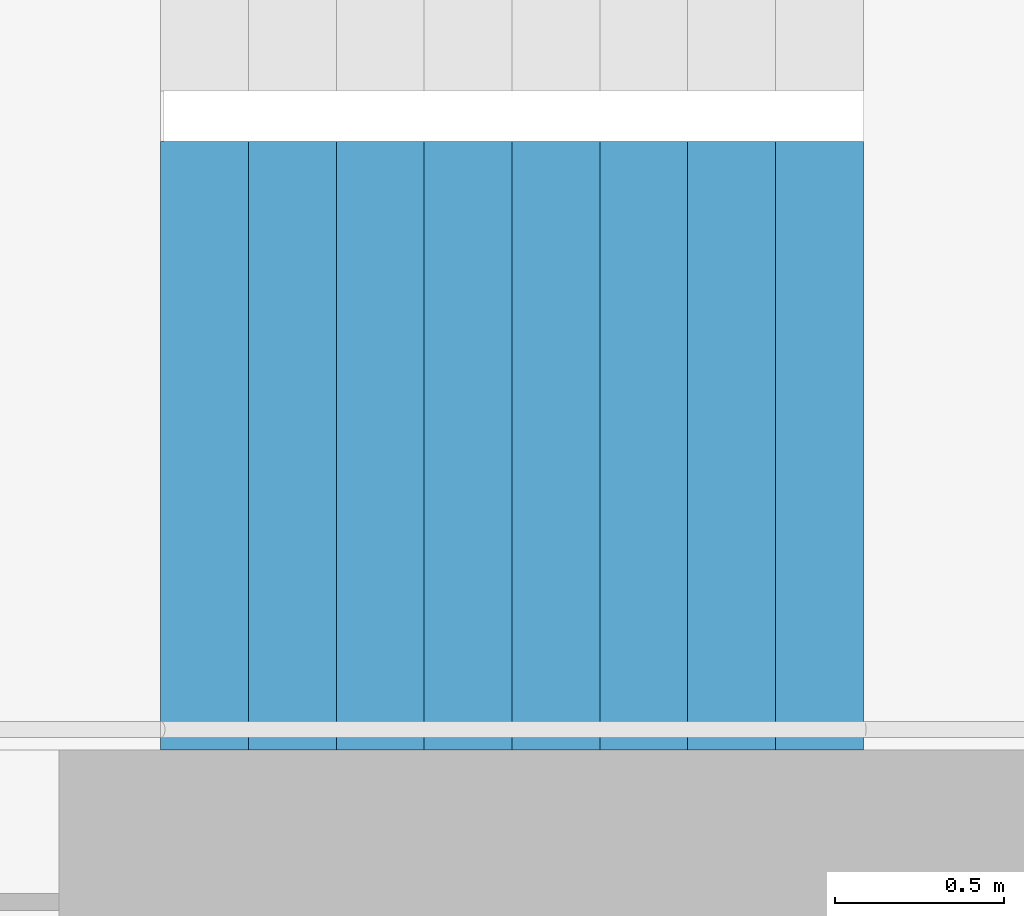
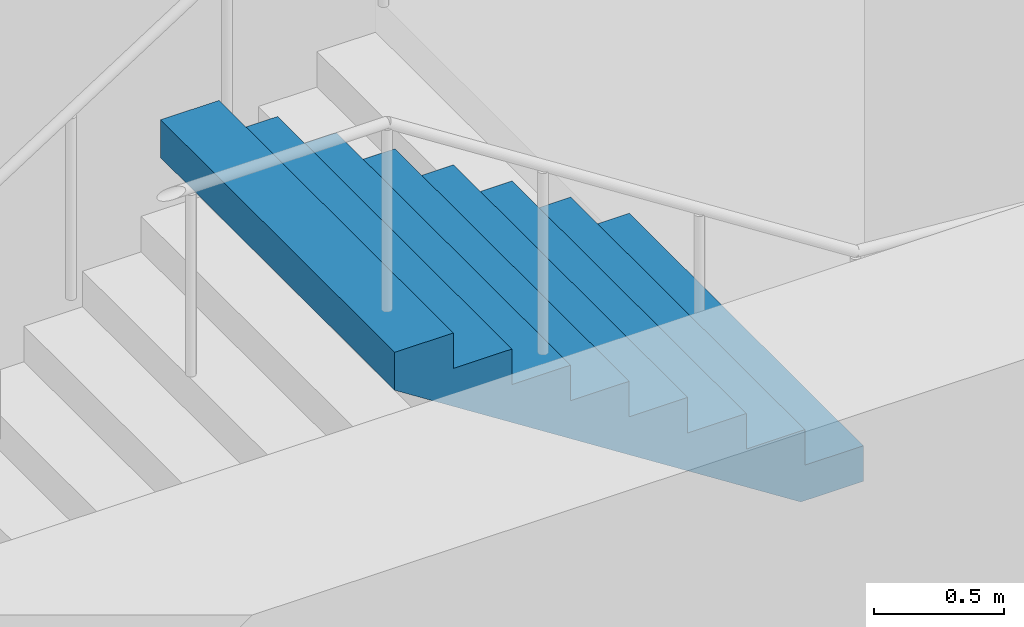
# One storey, part 27 of 35: 1 stair flight, 1 element without a shape of its own.
"""IFC4 building model written with IfcOpenShell, lengths in metres."""

import ifcopenshell
import ifcopenshell.guid

model = None  # the IFC model being written
_history = None  # IfcOwnerHistory: only IFC2X3 demands one
_inside = {}  # id of a spatial element -> (the spatial element, [elements in it])
_under = {}  # id of a project, library or spatial element -> (it, [spatial elements below it])
_declared = {}  # id of a project -> (the project, [libraries it declares])
_typed = {}  # id of a type object -> (the type object, [elements of that type])
_made_of = {}  # id of a material, layer set ... -> (it, [elements and type objects made of it])


def new_model(schema):
    """Start an empty IFC model of exactly this schema.

    Asked for "IFC4X3", IfcOpenShell would pick the latest addendum, in which some entities
    have other attributes; the version numbers below select the first issue.
    IFC2X3 requires an IfcOwnerHistory on every rooted entity: one is made here for all.
    """
    global model, _history
    if schema == "IFC4X3":
        model = ifcopenshell.file(schema_version=(4, 3, 0, 0))
    else:
        model = ifcopenshell.file(schema=schema)
    _inside.clear()
    _under.clear()
    _declared.clear()
    _typed.clear()
    _made_of.clear()
    _history = None
    if model.schema == "IFC2X3":
        org = make("IfcOrganization", Name="unknown")
        user = make(
            "IfcPersonAndOrganization",
            ThePerson=make("IfcPerson", FamilyName="unknown"),
            TheOrganization=org,
        )
        app = make(
            "IfcApplication",
            ApplicationDeveloper=org,
            Version="unknown",
            ApplicationFullName="unknown",
            ApplicationIdentifier="unknown",
        )
        _history = make(
            "IfcOwnerHistory",
            OwningUser=user,
            OwningApplication=app,
            ChangeAction="ADDED",
            CreationDate=0,
        )
    return model


def make(cls, **values):
    """One entity of the class cls with the attributes given. An attribute that is None is left unset."""
    return model.create_entity(
        cls, **{name: value for name, value in values.items() if value is not None}
    )


def rooted(cls, **values):
    """An entity with a GlobalId (a new one), such as an element, a storey or a relation."""
    return make(cls, GlobalId=ifcopenshell.guid.new(), OwnerHistory=_history, **values)


def si_unit(unit_type, name, prefix=None):
    """IfcSIUnit, for example si_unit("LENGTHUNIT", "METRE", prefix="MILLI")."""
    return make("IfcSIUnit", UnitType=unit_type, Prefix=prefix, Name=name)


def assignment(units):
    """IfcUnitAssignment: the units of a project."""
    return None if units is None else make("IfcUnitAssignment", Units=units)


def point(xyz):
    """IfcCartesianPoint."""
    return None if xyz is None else make("IfcCartesianPoint", Coordinates=xyz)


def direction(xyz):
    """IfcDirection."""
    return None if xyz is None else make("IfcDirection", DirectionRatios=xyz)


def frame(location, z_axis=None, x_axis=None):
    """IfcAxis2Placement3D, a coordinate frame: its origin and axes. An axis left out is left unset."""
    return make(
        "IfcAxis2Placement3D",
        Location=point(location),
        Axis=direction(z_axis),
        RefDirection=direction(x_axis),
    )


def origin():
    """The frame at (0, 0, 0) with its axes left unset."""
    return frame((0.0, 0.0, 0.0))


def place(relative_to, where):
    """IfcLocalPlacement: puts the frame where relative to a parent placement (None: the world)."""
    return make(
        "IfcLocalPlacement", PlacementRelTo=relative_to, RelativePlacement=where
    )


def context(
    kind, dimensions, precision=None, world=None, true_north=None, identifier=None
):
    """IfcGeometricRepresentationContext, for example the 3D "Model" context."""
    return make(
        "IfcGeometricRepresentationContext",
        ContextIdentifier=identifier,
        ContextType=kind,
        CoordinateSpaceDimension=dimensions,
        Precision=precision,
        WorldCoordinateSystem=world,
        TrueNorth=true_north,
    )


def subcontext(parent, identifier, kind, view, scale=None):
    """IfcGeometricRepresentationSubContext, for example "Body" below "Model"."""
    return make(
        "IfcGeometricRepresentationSubContext",
        ContextIdentifier=identifier,
        ContextType=kind,
        ParentContext=parent,
        TargetScale=scale,
        TargetView=view,
    )


def project(units=None, contexts=None):
    """IfcProject with its units and contexts."""
    return rooted(
        "IfcProject",
        Name="project",
        RepresentationContexts=contexts,
        UnitsInContext=assignment(units),
    )


def spatial(cls, under=None, at=None, **own):
    """A site, building, storey or space (cls), placed at a placement, below another one or the project."""
    s = rooted(cls, ObjectPlacement=at, **own)
    if under is not None:
        _under.setdefault(under.id(), (under, []))[1].append(s)
    return s


def point_list(points):
    """IfcCartesianPointList2D or 3D."""
    cls = (
        "IfcCartesianPointList2D" if len(points[0]) == 2 else "IfcCartesianPointList3D"
    )
    return make(cls, CoordList=points)


def triangles(points, corners, closed=None, point_numbers=None):
    """IfcTriangulatedFaceSet: each triangle names its three corners, points numbered from 1."""
    return make(
        "IfcTriangulatedFaceSet",
        Coordinates=point_list(points),
        Closed=closed,
        CoordIndex=corners,
        PnIndex=point_numbers,
    )


def shape(context_of_items, identifier, shape_type, items):
    """IfcShapeRepresentation: the items that make up one representation, for example the "Body"."""
    return make(
        "IfcShapeRepresentation",
        ContextOfItems=context_of_items,
        RepresentationIdentifier=identifier,
        RepresentationType=shape_type,
        Items=items,
    )


def material(Name=None, Category=None):
    """IfcMaterial."""
    return make("IfcMaterial", Name=Name, Category=Category)


def made_of(thing, what):
    """Note that an element or type object is made of a material, layer set ...; save() writes the relation."""
    if what is not None:
        _made_of.setdefault(what.id(), (what, []))[1].append(thing)
    return thing


def type_object(cls, material=None, **own):
    """A type object (cls), such as IfcWallType, which elements share."""
    return made_of(rooted(cls, **own), material)


def element(
    cls,
    number,
    at=None,
    inside=None,
    cuts=None,
    type_object=None,
    material=None,
    context=None,
    identifier="Body",
    shape_type=None,
    held_by="IfcProductDefinitionShape",
    body=None,
    shapes=None,
    **own,
):
    """One element of the class cls, such as IfcWall. Its Tag is "e" and its number.

    at: its placement. inside: the storey or other place that contains it. cuts: it is an
    opening in that element (IfcRelVoidsElement). A single representation is given by context,
    identifier, shape_type and body (its items); several are given by shapes. held_by: the class
    of the entity that holds the representations. save() writes the other relations.
    """
    e = rooted(cls, Tag="e%d" % number, ObjectPlacement=at, **own)
    if body is not None:
        shapes = [shape(context, identifier, shape_type, body)]
    if shapes is not None:
        e.Representation = make(held_by, Representations=shapes)
    if inside is not None:
        _inside.setdefault(inside.id(), (inside, []))[1].append(e)
    if cuts is not None:
        rooted(
            "IfcRelVoidsElement", RelatingBuildingElement=cuts, RelatedOpeningElement=e
        )
    if type_object is not None:
        _typed.setdefault(type_object.id(), (type_object, []))[1].append(e)
    return made_of(e, material)


def aggregate(whole, parts):
    """IfcRelAggregates: a whole, such as a stair, and the parts it consists of."""
    return rooted("IfcRelAggregates", RelatingObject=whole, RelatedObjects=parts)


def save(model, path):
    """Write the relations noted so far, then the file.

    IfcRelAggregates (storeys below a building ...), IfcRelContainedInSpatialStructure (elements
    in a storey), IfcRelDefinesByType, IfcRelAssociatesMaterial and IfcRelDeclares: one each for
    every whole, place, type object, material and project.
    """
    for whole, parts in _under.values():
        aggregate(whole, parts)
    for where, things in _inside.values():
        rooted(
            "IfcRelContainedInSpatialStructure",
            RelatedElements=things,
            RelatingStructure=where,
        )
    for kind, things in _typed.values():
        rooted("IfcRelDefinesByType", RelatedObjects=things, RelatingType=kind)
    for what, things in _made_of.values():
        rooted("IfcRelAssociatesMaterial", RelatedObjects=things, RelatingMaterial=what)
    for by, libraries in _declared.values():
        rooted("IfcRelDeclares", RelatingContext=by, RelatedDefinitions=libraries)
    model.write(path)


model = new_model("IFC4")

# Units and contexts
model_context = context("Model", 3, precision=1e-05, world=origin(), true_north=direction((0.0, 1.0)))
body_context = subcontext(model_context, "Body", "Model", "MODEL_VIEW")
ifc_project = project(units=[si_unit("LENGTHUNIT", "METRE"), si_unit("AREAUNIT", "SQUARE_METRE"), si_unit("VOLUMEUNIT", "CUBIC_METRE"), si_unit("PLANEANGLEUNIT", "RADIAN"), si_unit("MASSUNIT", "GRAM", prefix="KILO")], contexts=[model_context])

# Site, building, storey
site_placement = place(None, origin())
site = spatial("IfcSite", under=ifc_project, at=site_placement, CompositionType="ELEMENT")
building_placement = place(site_placement, origin())
building = spatial("IfcBuilding", under=site, at=building_placement, Name="Hakoniwa Tower and Hamabe Station Hall", CompositionType="ELEMENT")
storey_placement = place(building_placement, frame((0.0, 0.0, 270.60009765625)))
storey = spatial("IfcBuildingStorey", under=building, at=storey_placement, Name="L76", CompositionType="ELEMENT", Elevation=270.60009765625)

# Stair, stair flight
ifc_material_1 = material(Name="Concrete C40", Category="concrete")
stair_type = type_object("IfcStairType", Name="ESCAPE STAIR 1800", PredefinedType="HALF_TURN_STAIR", material=ifc_material_1)
stair_placement = place(storey_placement, origin())
stair = element("IfcStair", 1, at=stair_placement, inside=storey, type_object=stair_type, Name="Escape stair ST-4 L76", PredefinedType="HALF_TURN_STAIR")
ifc_material_2 = material(Name="Concrete C40", Category="concrete")
stair_flight_type = type_object("IfcStairFlightType", Name="STAIR FLIGHT 1800", PredefinedType="STRAIGHT", material=ifc_material_2)
stair_flight_placement = place(storey_placement, frame((25.47998046875, -6.60009765625, 4.5), z_axis=(0.0, 0.0, 1.0), x_axis=(-1.0, 0.0, 0.0)))
stair_flight = element("IfcStairFlight", 2, at=stair_flight_placement, type_object=stair_flight_type, Name="ST-4 flight 4", NumberOfRisers=9, NumberOfTreads=8, PredefinedType="STRAIGHT", RiserHeight=0.166666667, TreadLength=0.26, context=body_context, shape_type="Tessellation", body=[
    triangles([(0.0, 0.89990234375, 0.0), (0.260009765625, 0.89990234375, 0.0), (0.27783203125, 0.89990234375, 0.0), (0.52001953125, 0.89990234375, 0.1552734375), (0.780029296875, 0.89990234375, 0.322021484375), (1.0400390625, 0.89990234375, 0.488525390625), (1.300048828125, 0.89990234375, 0.6552734375), (1.56005859375, 0.89990234375, 0.822021484375), (1.820068359375, 0.89990234375, 0.988525390625), (2.080078125, 0.89990234375, 1.1552734375), (2.080078125, 0.89990234375, 1.333251953125), (1.820068359375, 0.89990234375, 1.333251953125), (1.820068359375, 0.89990234375, 1.166748046875), (1.56005859375, 0.89990234375, 1.166748046875), (1.56005859375, 0.89990234375, 1.0), (1.300048828125, 0.89990234375, 1.0), (1.300048828125, 0.89990234375, 0.833251953125), (1.0400390625, 0.89990234375, 0.833251953125), (1.0400390625, 0.89990234375, 0.666748046875), (0.780029296875, 0.89990234375, 0.666748046875), (0.780029296875, 0.89990234375, 0.5), (0.52001953125, 0.89990234375, 0.5), (0.52001953125, 0.89990234375, 0.333251953125), (0.27783203125, 0.89990234375, 0.333251953125), (0.260009765625, 0.89990234375, 0.333251953125), (0.260009765625, 0.89990234375, 0.166748046875), (0.0, 0.89990234375, 0.166748046875), (0.0, 0.06005859375, 0.0), (0.260009765625, 0.06005859375, 0.0), (0.27783203125, 0.06005859375, 0.0), (0.52001953125, 0.06005859375, 0.1552734375), (0.780029296875, 0.06005859375, 0.322021484375), (1.0400390625, 0.06005859375, 0.488525390625), (1.300048828125, 0.06005859375, 0.6552734375), (1.56005859375, 0.06005859375, 0.822021484375), (1.820068359375, 0.06005859375, 0.988525390625), (2.080078125, 0.06005859375, 1.1552734375), (2.080078125, 0.06005859375, 1.333251953125), (1.820068359375, 0.06005859375, 1.333251953125), (1.820068359375, 0.06005859375, 1.166748046875), (1.56005859375, 0.06005859375, 1.166748046875), (1.56005859375, 0.06005859375, 1.0), (1.300048828125, 0.06005859375, 1.0), (1.300048828125, 0.06005859375, 0.833251953125), (1.0400390625, 0.06005859375, 0.833251953125), (1.0400390625, 0.06005859375, 0.666748046875), (0.780029296875, 0.06005859375, 0.666748046875), (0.780029296875, 0.06005859375, 0.5), (0.52001953125, 0.06005859375, 0.5), (0.52001953125, 0.06005859375, 0.333251953125), (0.27783203125, 0.06005859375, 0.333251953125), (0.260009765625, 0.06005859375, 0.333251953125), (0.260009765625, 0.06005859375, 0.166748046875), (0.0, 0.06005859375, 0.166748046875), (0.0, 0.04296875, 0.0), (0.260009765625, 0.04296875, 0.0), (0.27783203125, 0.04296875, 0.0), (0.52001953125, 0.04296875, 0.1552734375), (0.780029296875, 0.04296875, 0.322021484375), (1.0400390625, 0.04296875, 0.488525390625), (1.300048828125, 0.04296875, 0.6552734375), (1.56005859375, 0.04296875, 0.822021484375), (1.820068359375, 0.04296875, 0.988525390625), (2.080078125, 0.04296875, 1.1552734375), (2.080078125, 0.04296875, 1.333251953125), (1.820068359375, 0.04296875, 1.333251953125), (1.820068359375, 0.04296875, 1.166748046875), (1.56005859375, 0.04296875, 1.166748046875), (1.56005859375, 0.04296875, 1.0), (1.300048828125, 0.04296875, 1.0), (1.300048828125, 0.04296875, 0.833251953125), (1.0400390625, 0.04296875, 0.833251953125), (1.0400390625, 0.04296875, 0.666748046875), (0.780029296875, 0.04296875, 0.666748046875), (0.780029296875, 0.04296875, 0.5), (0.52001953125, 0.04296875, 0.5), (0.52001953125, 0.04296875, 0.333251953125), (0.27783203125, 0.04296875, 0.333251953125), (0.260009765625, 0.04296875, 0.333251953125), (0.260009765625, 0.04296875, 0.166748046875), (0.0, 0.04296875, 0.166748046875), (0.0, 0.025634765625, 0.0), (0.260009765625, 0.025634765625, 0.0), (0.27783203125, 0.025634765625, 0.0), (0.52001953125, 0.025634765625, 0.1552734375), (0.780029296875, 0.025634765625, 0.322021484375), (1.0400390625, 0.025634765625, 0.488525390625), (1.300048828125, 0.025634765625, 0.6552734375), (1.56005859375, 0.025634765625, 0.822021484375), (1.820068359375, 0.025634765625, 0.988525390625), (2.080078125, 0.025634765625, 1.1552734375), (2.080078125, 0.025634765625, 1.333251953125), (1.820068359375, 0.025634765625, 1.333251953125), (1.820068359375, 0.025634765625, 1.166748046875), (1.56005859375, 0.025634765625, 1.166748046875), (1.56005859375, 0.025634765625, 1.0), (1.300048828125, 0.025634765625, 1.0), (1.300048828125, 0.025634765625, 0.833251953125), (1.0400390625, 0.025634765625, 0.833251953125), (1.0400390625, 0.025634765625, 0.666748046875), (0.780029296875, 0.025634765625, 0.666748046875), (0.780029296875, 0.025634765625, 0.5), (0.52001953125, 0.025634765625, 0.5), (0.52001953125, 0.025634765625, 0.333251953125), (0.27783203125, 0.025634765625, 0.333251953125), (0.260009765625, 0.025634765625, 0.333251953125), (0.260009765625, 0.025634765625, 0.166748046875), (0.0, 0.025634765625, 0.166748046875), (0.0, 0.008544921875, 0.0), (0.260009765625, 0.008544921875, 0.0), (0.27783203125, 0.008544921875, 0.0), (0.52001953125, 0.008544921875, 0.1552734375), (0.780029296875, 0.008544921875, 0.322021484375), (1.0400390625, 0.008544921875, 0.488525390625), (1.300048828125, 0.008544921875, 0.6552734375), (1.56005859375, 0.008544921875, 0.822021484375), (1.820068359375, 0.008544921875, 0.988525390625), (2.080078125, 0.008544921875, 1.1552734375), (2.080078125, 0.008544921875, 1.333251953125), (1.820068359375, 0.008544921875, 1.333251953125), (1.820068359375, 0.008544921875, 1.166748046875), (1.56005859375, 0.008544921875, 1.166748046875), (1.56005859375, 0.008544921875, 1.0), (1.300048828125, 0.008544921875, 1.0), (1.300048828125, 0.008544921875, 0.833251953125), (1.0400390625, 0.008544921875, 0.833251953125), (1.0400390625, 0.008544921875, 0.666748046875), (0.780029296875, 0.008544921875, 0.666748046875), (0.780029296875, 0.008544921875, 0.5), (0.52001953125, 0.008544921875, 0.5), (0.52001953125, 0.008544921875, 0.333251953125), (0.27783203125, 0.008544921875, 0.333251953125), (0.260009765625, 0.008544921875, 0.333251953125), (0.260009765625, 0.008544921875, 0.166748046875), (0.0, 0.008544921875, 0.166748046875), (0.0, -0.008544921875, 0.0), (0.260009765625, -0.008544921875, 0.0), (0.27783203125, -0.008544921875, 0.0), (0.52001953125, -0.008544921875, 0.1552734375), (0.780029296875, -0.008544921875, 0.322021484375), (1.0400390625, -0.008544921875, 0.488525390625), (1.300048828125, -0.008544921875, 0.6552734375), (1.56005859375, -0.008544921875, 0.822021484375), (1.820068359375, -0.008544921875, 0.988525390625), (2.080078125, -0.008544921875, 1.1552734375), (2.080078125, -0.008544921875, 1.333251953125), (1.820068359375, -0.008544921875, 1.333251953125), (1.820068359375, -0.008544921875, 1.166748046875), (1.56005859375, -0.008544921875, 1.166748046875), (1.56005859375, -0.008544921875, 1.0), (1.300048828125, -0.008544921875, 1.0), (1.300048828125, -0.008544921875, 0.833251953125), (1.0400390625, -0.008544921875, 0.833251953125), (1.0400390625, -0.008544921875, 0.666748046875), (0.780029296875, -0.008544921875, 0.666748046875), (0.780029296875, -0.008544921875, 0.5), (0.52001953125, -0.008544921875, 0.5), (0.52001953125, -0.008544921875, 0.333251953125), (0.27783203125, -0.008544921875, 0.333251953125), (0.260009765625, -0.008544921875, 0.333251953125), (0.260009765625, -0.008544921875, 0.166748046875), (0.0, -0.008544921875, 0.166748046875), (0.0, -0.025634765625, 0.0), (0.260009765625, -0.025634765625, 0.0), (0.27783203125, -0.025634765625, 0.0), (0.52001953125, -0.025634765625, 0.1552734375), (0.780029296875, -0.025634765625, 0.322021484375), (1.0400390625, -0.025634765625, 0.488525390625), (1.300048828125, -0.025634765625, 0.6552734375), (1.56005859375, -0.025634765625, 0.822021484375), (1.820068359375, -0.025634765625, 0.988525390625), (2.080078125, -0.025634765625, 1.1552734375), (2.080078125, -0.025634765625, 1.333251953125), (1.820068359375, -0.025634765625, 1.333251953125), (1.820068359375, -0.025634765625, 1.166748046875), (1.56005859375, -0.025634765625, 1.166748046875), (1.56005859375, -0.025634765625, 1.0), (1.300048828125, -0.025634765625, 1.0), (1.300048828125, -0.025634765625, 0.833251953125), (1.0400390625, -0.025634765625, 0.833251953125), (1.0400390625, -0.025634765625, 0.666748046875), (0.780029296875, -0.025634765625, 0.666748046875), (0.780029296875, -0.025634765625, 0.5), (0.52001953125, -0.025634765625, 0.5), (0.52001953125, -0.025634765625, 0.333251953125), (0.27783203125, -0.025634765625, 0.333251953125), (0.260009765625, -0.025634765625, 0.333251953125), (0.260009765625, -0.025634765625, 0.166748046875), (0.0, -0.025634765625, 0.166748046875), (0.0, -0.04296875, 0.0), (0.260009765625, -0.04296875, 0.0), (0.27783203125, -0.04296875, 0.0), (0.52001953125, -0.04296875, 0.1552734375), (0.780029296875, -0.04296875, 0.322021484375), (1.0400390625, -0.04296875, 0.488525390625), (1.300048828125, -0.04296875, 0.6552734375), (1.56005859375, -0.04296875, 0.822021484375), (1.820068359375, -0.04296875, 0.988525390625), (2.080078125, -0.04296875, 1.1552734375), (2.080078125, -0.04296875, 1.333251953125), (1.820068359375, -0.04296875, 1.333251953125), (1.820068359375, -0.04296875, 1.166748046875), (1.56005859375, -0.04296875, 1.166748046875), (1.56005859375, -0.04296875, 1.0), (1.300048828125, -0.04296875, 1.0), (1.300048828125, -0.04296875, 0.833251953125), (1.0400390625, -0.04296875, 0.833251953125), (1.0400390625, -0.04296875, 0.666748046875), (0.780029296875, -0.04296875, 0.666748046875), (0.780029296875, -0.04296875, 0.5), (0.52001953125, -0.04296875, 0.5), (0.52001953125, -0.04296875, 0.333251953125), (0.27783203125, -0.04296875, 0.333251953125), (0.260009765625, -0.04296875, 0.333251953125), (0.260009765625, -0.04296875, 0.166748046875), (0.0, -0.04296875, 0.166748046875), (0.0, -0.06005859375, 0.0), (0.260009765625, -0.06005859375, 0.0), (0.27783203125, -0.06005859375, 0.0), (0.52001953125, -0.06005859375, 0.1552734375), (0.780029296875, -0.06005859375, 0.322021484375), (1.0400390625, -0.06005859375, 0.488525390625), (1.300048828125, -0.06005859375, 0.6552734375), (1.56005859375, -0.06005859375, 0.822021484375), (1.820068359375, -0.06005859375, 0.988525390625), (2.080078125, -0.06005859375, 1.1552734375), (2.080078125, -0.06005859375, 1.333251953125), (1.820068359375, -0.06005859375, 1.333251953125), (1.820068359375, -0.06005859375, 1.166748046875), (1.56005859375, -0.06005859375, 1.166748046875), (1.56005859375, -0.06005859375, 1.0), (1.300048828125, -0.06005859375, 1.0), (1.300048828125, -0.06005859375, 0.833251953125), (1.0400390625, -0.06005859375, 0.833251953125), (1.0400390625, -0.06005859375, 0.666748046875), (0.780029296875, -0.06005859375, 0.666748046875), (0.780029296875, -0.06005859375, 0.5), (0.52001953125, -0.06005859375, 0.5), (0.52001953125, -0.06005859375, 0.333251953125), (0.27783203125, -0.06005859375, 0.333251953125), (0.260009765625, -0.06005859375, 0.333251953125), (0.260009765625, -0.06005859375, 0.166748046875), (0.0, -0.06005859375, 0.166748046875), (0.0, -0.89990234375, 0.0), (0.260009765625, -0.89990234375, 0.0), (0.27783203125, -0.89990234375, 0.0), (0.52001953125, -0.89990234375, 0.1552734375), (0.780029296875, -0.89990234375, 0.322021484375), (1.0400390625, -0.89990234375, 0.488525390625), (1.300048828125, -0.89990234375, 0.6552734375), (1.56005859375, -0.89990234375, 0.822021484375), (1.820068359375, -0.89990234375, 0.988525390625), (2.080078125, -0.89990234375, 1.1552734375), (2.080078125, -0.89990234375, 1.333251953125), (1.820068359375, -0.89990234375, 1.333251953125), (1.820068359375, -0.89990234375, 1.166748046875), (1.56005859375, -0.89990234375, 1.166748046875), (1.56005859375, -0.89990234375, 1.0), (1.300048828125, -0.89990234375, 1.0), (1.300048828125, -0.89990234375, 0.833251953125), (1.0400390625, -0.89990234375, 0.833251953125), (1.0400390625, -0.89990234375, 0.666748046875), (0.780029296875, -0.89990234375, 0.666748046875), (0.780029296875, -0.89990234375, 0.5), (0.52001953125, -0.89990234375, 0.5), (0.52001953125, -0.89990234375, 0.333251953125), (0.27783203125, -0.89990234375, 0.333251953125), (0.260009765625, -0.89990234375, 0.333251953125), (0.260009765625, -0.89990234375, 0.166748046875), (0.0, -0.89990234375, 0.166748046875)], [[2, 27, 26], [245, 269, 270], [2, 1, 27], [245, 270, 244], [3, 25, 24], [246, 267, 268], [3, 26, 25], [246, 268, 269], [3, 2, 26], [246, 269, 245], [4, 24, 23], [247, 266, 267], [4, 3, 24], [247, 267, 246], [5, 22, 21], [248, 264, 265], [5, 23, 22], [248, 265, 266], [5, 4, 23], [248, 266, 247], [6, 20, 19], [249, 262, 263], [6, 21, 20], [249, 263, 264], [6, 5, 21], [249, 264, 248], [7, 18, 17], [250, 260, 261], [7, 19, 18], [250, 261, 262], [7, 6, 19], [250, 262, 249], [8, 16, 15], [251, 258, 259], [8, 17, 16], [251, 259, 260], [8, 7, 17], [251, 260, 250], [9, 14, 13], [252, 256, 257], [9, 15, 14], [252, 257, 258], [9, 8, 15], [252, 258, 251], [10, 12, 11], [253, 254, 255], [10, 13, 12], [253, 255, 256], [10, 9, 13], [253, 256, 252], [1, 2, 29], [1, 29, 28], [28, 29, 56], [28, 56, 55], [55, 56, 83], [55, 83, 82], [82, 83, 110], [82, 110, 109], [109, 110, 137], [109, 137, 136], [136, 137, 164], [136, 164, 163], [163, 164, 191], [163, 191, 190], [190, 191, 218], [190, 218, 217], [217, 218, 245], [217, 245, 244], [2, 3, 30], [2, 30, 29], [29, 30, 57], [29, 57, 56], [56, 57, 84], [56, 84, 83], [83, 84, 111], [83, 111, 110], [110, 111, 138], [110, 138, 137], [137, 138, 165], [137, 165, 164], [164, 165, 192], [164, 192, 191], [191, 192, 219], [191, 219, 218], [218, 219, 246], [218, 246, 245], [3, 4, 31], [3, 31, 30], [30, 31, 58], [30, 58, 57], [57, 58, 85], [57, 85, 84], [84, 85, 112], [84, 112, 111], [111, 112, 139], [111, 139, 138], [138, 139, 166], [138, 166, 165], [165, 166, 193], [165, 193, 192], [192, 193, 220], [192, 220, 219], [219, 220, 247], [219, 247, 246], [4, 5, 32], [4, 32, 31], [31, 32, 59], [31, 59, 58], [58, 59, 86], [58, 86, 85], [85, 86, 113], [85, 113, 112], [112, 113, 140], [112, 140, 139], [139, 140, 167], [139, 167, 166], [166, 167, 194], [166, 194, 193], [193, 194, 221], [193, 221, 220], [220, 221, 248], [220, 248, 247], [5, 6, 33], [5, 33, 32], [32, 33, 60], [32, 60, 59], [59, 60, 87], [59, 87, 86], [86, 87, 114], [86, 114, 113], [113, 114, 141], [113, 141, 140], [140, 141, 168], [140, 168, 167], [167, 168, 195], [167, 195, 194], [194, 195, 222], [194, 222, 221], [221, 222, 249], [221, 249, 248], [6, 7, 34], [6, 34, 33], [33, 34, 61], [33, 61, 60], [60, 61, 88], [60, 88, 87], [87, 88, 115], [87, 115, 114], [114, 115, 142], [114, 142, 141], [141, 142, 169], [141, 169, 168], [168, 169, 196], [168, 196, 195], [195, 196, 223], [195, 223, 222], [222, 223, 250], [222, 250, 249], [7, 8, 35], [7, 35, 34], [34, 35, 62], [34, 62, 61], [61, 62, 89], [61, 89, 88], [88, 89, 116], [88, 116, 115], [115, 116, 143], [115, 143, 142], [142, 143, 170], [142, 170, 169], [169, 170, 197], [169, 197, 196], [196, 197, 224], [196, 224, 223], [223, 224, 251], [223, 251, 250], [8, 9, 36], [8, 36, 35], [35, 36, 63], [35, 63, 62], [62, 63, 90], [62, 90, 89], [89, 90, 117], [89, 117, 116], [116, 117, 144], [116, 144, 143], [143, 144, 171], [143, 171, 170], [170, 171, 198], [170, 198, 197], [197, 198, 225], [197, 225, 224], [224, 225, 252], [224, 252, 251], [9, 10, 37], [9, 37, 36], [36, 37, 64], [36, 64, 63], [63, 64, 91], [63, 91, 90], [90, 91, 118], [90, 118, 117], [117, 118, 145], [117, 145, 144], [144, 145, 172], [144, 172, 171], [171, 172, 199], [171, 199, 198], [198, 199, 226], [198, 226, 225], [225, 226, 253], [225, 253, 252], [10, 11, 38], [10, 38, 37], [37, 38, 65], [37, 65, 64], [64, 65, 92], [64, 92, 91], [91, 92, 119], [91, 119, 118], [118, 119, 146], [118, 146, 145], [145, 146, 173], [145, 173, 172], [172, 173, 200], [172, 200, 199], [199, 200, 227], [199, 227, 226], [226, 227, 254], [226, 254, 253], [11, 12, 39], [11, 39, 38], [38, 39, 66], [38, 66, 65], [65, 66, 93], [65, 93, 92], [92, 93, 120], [92, 120, 119], [119, 120, 147], [119, 147, 146], [146, 147, 174], [146, 174, 173], [173, 174, 201], [173, 201, 200], [200, 201, 228], [200, 228, 227], [227, 228, 255], [227, 255, 254], [12, 13, 40], [12, 40, 39], [39, 40, 67], [39, 67, 66], [66, 67, 94], [66, 94, 93], [93, 94, 121], [93, 121, 120], [120, 121, 148], [120, 148, 147], [147, 148, 175], [147, 175, 174], [174, 175, 202], [174, 202, 201], [201, 202, 229], [201, 229, 228], [228, 229, 256], [228, 256, 255], [13, 14, 41], [13, 41, 40], [40, 41, 68], [40, 68, 67], [67, 68, 95], [67, 95, 94], [94, 95, 122], [94, 122, 121], [121, 122, 149], [121, 149, 148], [148, 149, 176], [148, 176, 175], [175, 176, 203], [175, 203, 202], [202, 203, 230], [202, 230, 229], [229, 230, 257], [229, 257, 256], [14, 15, 42], [14, 42, 41], [41, 42, 69], [41, 69, 68], [68, 69, 96], [68, 96, 95], [95, 96, 123], [95, 123, 122], [122, 123, 150], [122, 150, 149], [149, 150, 177], [149, 177, 176], [176, 177, 204], [176, 204, 203], [203, 204, 231], [203, 231, 230], [230, 231, 258], [230, 258, 257], [15, 16, 43], [15, 43, 42], [42, 43, 70], [42, 70, 69], [69, 70, 97], [69, 97, 96], [96, 97, 124], [96, 124, 123], [123, 124, 151], [123, 151, 150], [150, 151, 178], [150, 178, 177], [177, 178, 205], [177, 205, 204], [204, 205, 232], [204, 232, 231], [231, 232, 259], [231, 259, 258], [16, 17, 44], [16, 44, 43], [43, 44, 71], [43, 71, 70], [70, 71, 98], [70, 98, 97], [97, 98, 125], [97, 125, 124], [124, 125, 152], [124, 152, 151], [151, 152, 179], [151, 179, 178], [178, 179, 206], [178, 206, 205], [205, 206, 233], [205, 233, 232], [232, 233, 260], [232, 260, 259], [17, 18, 45], [17, 45, 44], [44, 45, 72], [44, 72, 71], [71, 72, 99], [71, 99, 98], [98, 99, 126], [98, 126, 125], [125, 126, 153], [125, 153, 152], [152, 153, 180], [152, 180, 179], [179, 180, 207], [179, 207, 206], [206, 207, 234], [206, 234, 233], [233, 234, 261], [233, 261, 260], [18, 19, 46], [18, 46, 45], [45, 46, 73], [45, 73, 72], [72, 73, 100], [72, 100, 99], [99, 100, 127], [99, 127, 126], [126, 127, 154], [126, 154, 153], [153, 154, 181], [153, 181, 180], [180, 181, 208], [180, 208, 207], [207, 208, 235], [207, 235, 234], [234, 235, 262], [234, 262, 261], [19, 20, 47], [19, 47, 46], [46, 47, 74], [46, 74, 73], [73, 74, 101], [73, 101, 100], [100, 101, 128], [100, 128, 127], [127, 128, 155], [127, 155, 154], [154, 155, 182], [154, 182, 181], [181, 182, 209], [181, 209, 208], [208, 209, 236], [208, 236, 235], [235, 236, 263], [235, 263, 262], [20, 21, 48], [20, 48, 47], [47, 48, 75], [47, 75, 74], [74, 75, 102], [74, 102, 101], [101, 102, 129], [101, 129, 128], [128, 129, 156], [128, 156, 155], [155, 156, 183], [155, 183, 182], [182, 183, 210], [182, 210, 209], [209, 210, 237], [209, 237, 236], [236, 237, 264], [236, 264, 263], [21, 22, 49], [21, 49, 48], [48, 49, 76], [48, 76, 75], [75, 76, 103], [75, 103, 102], [102, 103, 130], [102, 130, 129], [129, 130, 157], [129, 157, 156], [156, 157, 184], [156, 184, 183], [183, 184, 211], [183, 211, 210], [210, 211, 238], [210, 238, 237], [237, 238, 265], [237, 265, 264], [22, 23, 50], [22, 50, 49], [49, 50, 77], [49, 77, 76], [76, 77, 104], [76, 104, 103], [103, 104, 131], [103, 131, 130], [130, 131, 158], [130, 158, 157], [157, 158, 185], [157, 185, 184], [184, 185, 212], [184, 212, 211], [211, 212, 239], [211, 239, 238], [238, 239, 266], [238, 266, 265], [23, 24, 51], [23, 51, 50], [50, 51, 78], [50, 78, 77], [77, 78, 105], [77, 105, 104], [104, 105, 132], [104, 132, 131], [131, 132, 159], [131, 159, 158], [158, 159, 186], [158, 186, 185], [185, 186, 213], [185, 213, 212], [212, 213, 240], [212, 240, 239], [239, 240, 267], [239, 267, 266], [24, 25, 52], [24, 52, 51], [51, 52, 79], [51, 79, 78], [78, 79, 106], [78, 106, 105], [105, 106, 133], [105, 133, 132], [132, 133, 160], [132, 160, 159], [159, 160, 187], [159, 187, 186], [186, 187, 214], [186, 214, 213], [213, 214, 241], [213, 241, 240], [240, 241, 268], [240, 268, 267], [25, 26, 53], [25, 53, 52], [52, 53, 80], [52, 80, 79], [79, 80, 107], [79, 107, 106], [106, 107, 134], [106, 134, 133], [133, 134, 161], [133, 161, 160], [160, 161, 188], [160, 188, 187], [187, 188, 215], [187, 215, 214], [214, 215, 242], [214, 242, 241], [241, 242, 269], [241, 269, 268], [26, 27, 54], [26, 54, 53], [53, 54, 81], [53, 81, 80], [80, 81, 108], [80, 108, 107], [107, 108, 135], [107, 135, 134], [134, 135, 162], [134, 162, 161], [161, 162, 189], [161, 189, 188], [188, 189, 216], [188, 216, 215], [215, 216, 243], [215, 243, 242], [242, 243, 270], [242, 270, 269], [27, 1, 28], [27, 28, 54], [54, 28, 55], [54, 55, 81], [81, 55, 82], [81, 82, 108], [108, 82, 109], [108, 109, 135], [135, 109, 136], [135, 136, 162], [162, 136, 163], [162, 163, 189], [189, 163, 190], [189, 190, 216], [216, 190, 217], [216, 217, 243], [243, 217, 244], [243, 244, 270]], closed=True),
])
aggregate(stair, [stair_flight])

save(model, "model.ifc")
